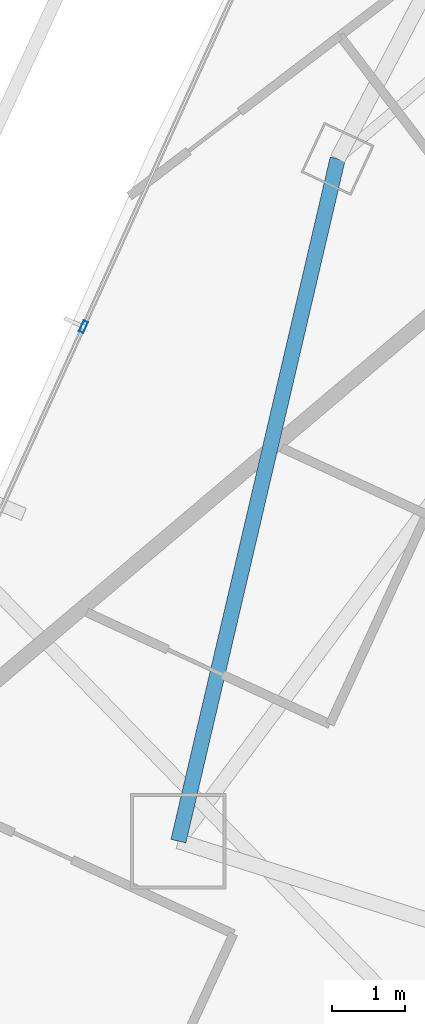
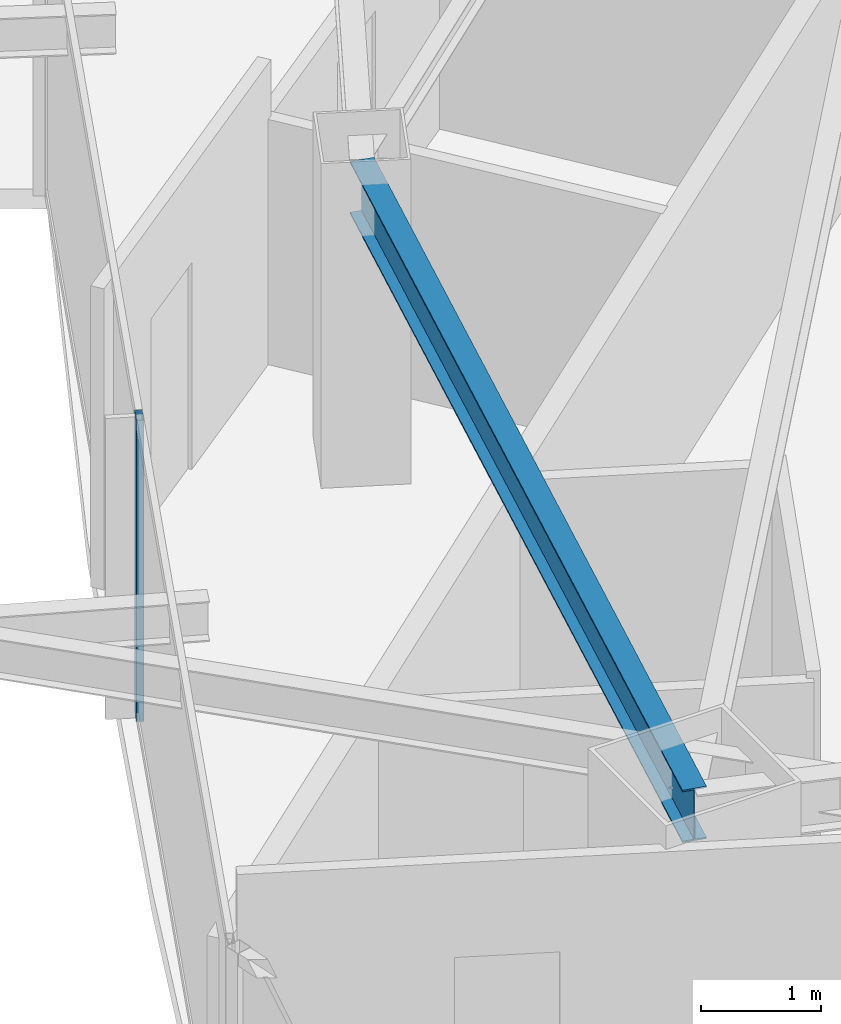
# One storey, part 6 of 33: 1 beam, 1 member, 1 element without a shape of its own.
"""IFC4 building model written with IfcOpenShell, lengths in metres."""

from ifc_helpers import new_model, si_unit, direction, frame, origin, origin_2d, place, context, subcontext, project, spatial, hollow_rectangle, i_section, extrude, material, layer, layer_set, material_profile, profile_set, type_object, element, aggregate, save


model = new_model("IFC4")

# Units and contexts
model_context = context("Model", 3, precision=1e-05, world=origin(), true_north=direction((0.0, 1.0)))
body_context = subcontext(model_context, "Body", "Model", "MODEL_VIEW")
ifc_project = project(units=[si_unit("LENGTHUNIT", "METRE"), si_unit("AREAUNIT", "SQUARE_METRE"), si_unit("VOLUMEUNIT", "CUBIC_METRE"), si_unit("PLANEANGLEUNIT", "RADIAN"), si_unit("MASSUNIT", "GRAM", prefix="KILO")], contexts=[model_context])

# Site, building, storey
site_placement = place(None, origin())
site = spatial("IfcSite", under=ifc_project, at=site_placement, CompositionType="ELEMENT")
building_placement = place(site_placement, origin())
building = spatial("IfcBuilding", under=site, at=building_placement, Name="Orvanel Arch Residences", CompositionType="ELEMENT")
storey_placement = place(building_placement, frame((0.0, 0.0, 206.300048828125)))
storey = spatial("IfcBuildingStorey", under=building, at=storey_placement, Name="L58", CompositionType="ELEMENT", Elevation=206.300048828125)

# Curtain wall, member
ifc_material_1 = material(Name="Bronze-anodised aluminium AA6063-T6", Category="aluminium")
ifc_layer = layer(ifc_material_1, 0.175048828125)
ifc_layer_set = layer_set([ifc_layer], Name="Bronze-anodised aluminium AA6063-T6")
curtain_wall_type = type_object("IfcCurtainWallType", Name="CW4-HI-SYS", PredefinedType="NOTDEFINED", material=ifc_layer_set)
curtain_wall_placement = place(storey_placement, origin())
curtain_wall = element("IfcCurtainWall", 1, at=curtain_wall_placement, inside=storey, type_object=curtain_wall_type, Name="L58 CW4-HI-SYS Unitised Curtain Wall", PredefinedType="NOTDEFINED")
ifc_material_profile_1 = material_profile(ifc_material_1, hollow_rectangle(XDim=0.06494140625, YDim=0.159912109375, WallThickness=0.00390625, at=origin_2d()), Name="ALU160x65x4")
ifc_profile_set_1 = profile_set([ifc_material_profile_1], Name="Bronze-anodised aluminium AA6063-T6")
member_type = type_object("IfcMemberType", Name="MUL-160x65", PredefinedType="MULLION", material=ifc_profile_set_1)
member_placement = place(storey_placement, frame((12.906005859375, 17.35595703125, 0.0), z_axis=(0.0, 0.0, 1.0), x_axis=(0.911395859217, -0.411530785971, 0.0)))
member = element("IfcMember", 2, at=member_placement, type_object=member_type, Name="CW-S4 mullion 2", PredefinedType="MULLION", context=body_context, shape_type="SweptSolid", body=[
    extrude(hollow_rectangle(XDim=0.06494140625, YDim=0.159912109375, WallThickness=0.00390625, at=origin_2d()), origin(), (0.0, 0.0, 1.0), 3.06005859375),
])
aggregate(curtain_wall, [member])

# Beam
ifc_material_2 = material(Name="Structural steel AS/NZS 3679.1 Grade 300 (300 MPa)", Category="steel")
ifc_material_profile_2 = material_profile(ifc_material_2, i_section(OverallWidth=0.208984375, OverallDepth=0.532958984375, WebThickness=0.01025390625, FlangeThickness=0.015625, at=origin_2d()), Name="530UB92.4")
ifc_profile_set_2 = profile_set([ifc_material_profile_2], Name="Structural steel AS/NZS 3679.1 Grade 300 (300 MPa)")
beam_type = type_object("IfcBeamType", Name="SP-530UB", PredefinedType="SPANDREL", material=ifc_profile_set_2)
beam_placement = place(storey_placement, frame((16.366943359375, 19.64208984375, 2.7939453125), z_axis=(-0.227236087167, -0.973839699688, 0.0), x_axis=(0.973839699688, -0.227236087167, 0.0)))
element("IfcBeam", 3, at=beam_placement, inside=storey, type_object=beam_type, Name="L58 Perimeter Spandrel Beam 01", PredefinedType="SPANDREL", context=body_context, shape_type="SweptSolid", body=[
    extrude(i_section(OverallWidth=0.208984375, OverallDepth=0.532958984375, WebThickness=0.01025390625, FlangeThickness=0.015625, at=origin_2d()), origin(), (0.0, 0.0, 1.0), 9.54052734375),
])

save(model, "model.ifc")
